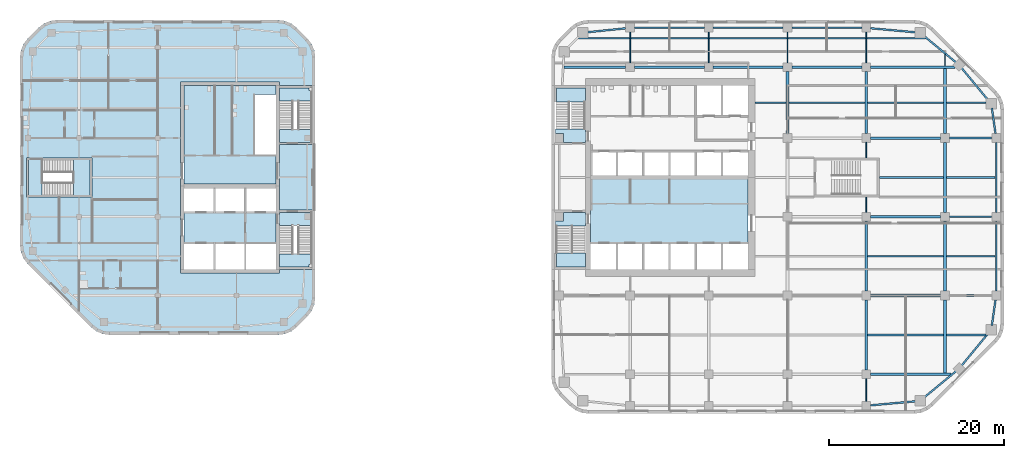
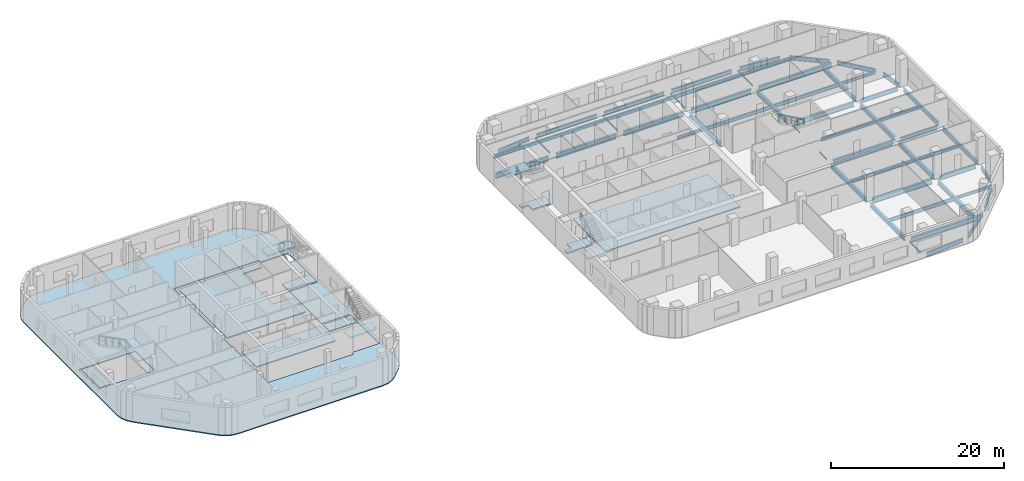
# One storey, part 3 of 14: 57 beams, 14 slabs, 5 elements without a shape of their own.
"""IFC4 building model written with IfcOpenShell, lengths in metres."""

import ifcopenshell
import ifcopenshell.guid

model = None  # the IFC model being written
_history = None  # IfcOwnerHistory: only IFC2X3 demands one
_inside = {}  # id of a spatial element -> (the spatial element, [elements in it])
_under = {}  # id of a project, library or spatial element -> (it, [spatial elements below it])
_declared = {}  # id of a project -> (the project, [libraries it declares])
_typed = {}  # id of a type object -> (the type object, [elements of that type])
_made_of = {}  # id of a material, layer set ... -> (it, [elements and type objects made of it])


def new_model(schema):
    """Start an empty IFC model of exactly this schema.

    Asked for "IFC4X3", IfcOpenShell would pick the latest addendum, in which some entities
    have other attributes; the version numbers below select the first issue.
    IFC2X3 requires an IfcOwnerHistory on every rooted entity: one is made here for all.
    """
    global model, _history
    if schema == "IFC4X3":
        model = ifcopenshell.file(schema_version=(4, 3, 0, 0))
    else:
        model = ifcopenshell.file(schema=schema)
    _inside.clear()
    _under.clear()
    _declared.clear()
    _typed.clear()
    _made_of.clear()
    _history = None
    if model.schema == "IFC2X3":
        org = make("IfcOrganization", Name="unknown")
        user = make(
            "IfcPersonAndOrganization",
            ThePerson=make("IfcPerson", FamilyName="unknown"),
            TheOrganization=org,
        )
        app = make(
            "IfcApplication",
            ApplicationDeveloper=org,
            Version="unknown",
            ApplicationFullName="unknown",
            ApplicationIdentifier="unknown",
        )
        _history = make(
            "IfcOwnerHistory",
            OwningUser=user,
            OwningApplication=app,
            ChangeAction="ADDED",
            CreationDate=0,
        )
    return model


def make(cls, **values):
    """One entity of the class cls with the attributes given. An attribute that is None is left unset."""
    return model.create_entity(
        cls, **{name: value for name, value in values.items() if value is not None}
    )


def rooted(cls, **values):
    """An entity with a GlobalId (a new one), such as an element, a storey or a relation."""
    return make(cls, GlobalId=ifcopenshell.guid.new(), OwnerHistory=_history, **values)


def si_unit(unit_type, name, prefix=None):
    """IfcSIUnit, for example si_unit("LENGTHUNIT", "METRE", prefix="MILLI")."""
    return make("IfcSIUnit", UnitType=unit_type, Prefix=prefix, Name=name)


def assignment(units):
    """IfcUnitAssignment: the units of a project."""
    return None if units is None else make("IfcUnitAssignment", Units=units)


def point(xyz):
    """IfcCartesianPoint."""
    return None if xyz is None else make("IfcCartesianPoint", Coordinates=xyz)


def direction(xyz):
    """IfcDirection."""
    return None if xyz is None else make("IfcDirection", DirectionRatios=xyz)


def frame(location, z_axis=None, x_axis=None):
    """IfcAxis2Placement3D, a coordinate frame: its origin and axes. An axis left out is left unset."""
    return make(
        "IfcAxis2Placement3D",
        Location=point(location),
        Axis=direction(z_axis),
        RefDirection=direction(x_axis),
    )


def frame_2d(location, x_axis=None):
    """IfcAxis2Placement2D, a coordinate frame in the plane: its origin and x axis."""
    return make(
        "IfcAxis2Placement2D", Location=point(location), RefDirection=direction(x_axis)
    )


def origin():
    """The frame at (0, 0, 0) with its axes left unset."""
    return frame((0.0, 0.0, 0.0))


def origin_2d():
    """The frame at (0, 0) in the plane with its x axis left unset."""
    return frame_2d((0.0, 0.0))


def place(relative_to, where):
    """IfcLocalPlacement: puts the frame where relative to a parent placement (None: the world)."""
    return make(
        "IfcLocalPlacement", PlacementRelTo=relative_to, RelativePlacement=where
    )


def context(
    kind, dimensions, precision=None, world=None, true_north=None, identifier=None
):
    """IfcGeometricRepresentationContext, for example the 3D "Model" context."""
    return make(
        "IfcGeometricRepresentationContext",
        ContextIdentifier=identifier,
        ContextType=kind,
        CoordinateSpaceDimension=dimensions,
        Precision=precision,
        WorldCoordinateSystem=world,
        TrueNorth=true_north,
    )


def subcontext(parent, identifier, kind, view, scale=None):
    """IfcGeometricRepresentationSubContext, for example "Body" below "Model"."""
    return make(
        "IfcGeometricRepresentationSubContext",
        ContextIdentifier=identifier,
        ContextType=kind,
        ParentContext=parent,
        TargetScale=scale,
        TargetView=view,
    )


def project(units=None, contexts=None):
    """IfcProject with its units and contexts."""
    return rooted(
        "IfcProject",
        Name="project",
        RepresentationContexts=contexts,
        UnitsInContext=assignment(units),
    )


def spatial(cls, under=None, at=None, **own):
    """A site, building, storey or space (cls), placed at a placement, below another one or the project."""
    s = rooted(cls, ObjectPlacement=at, **own)
    if under is not None:
        _under.setdefault(under.id(), (under, []))[1].append(s)
    return s


def polyline(points):
    """IfcPolyline through the points."""
    return make("IfcPolyline", Points=[point(p) for p in points])


def profile(cls, at=None, kind="AREA", **sizes):
    """A parametric profile (cls). Its sizes go by their IFC names, for example OverallWidth=200.0."""
    return make(cls, ProfileType=kind, Position=at, **sizes)


def i_section(**sizes):
    """IfcIShapeProfileDef."""
    return profile("IfcIShapeProfileDef", **sizes)


def outline(outer, holes=None, kind="AREA"):
    """IfcArbitraryClosedProfileDef: a profile drawn as a closed curve; with holes, ...WithVoids."""
    if holes is None:
        return make("IfcArbitraryClosedProfileDef", ProfileType=kind, OuterCurve=outer)
    return make(
        "IfcArbitraryProfileDefWithVoids",
        ProfileType=kind,
        OuterCurve=outer,
        InnerCurves=holes,
    )


def extrude(swept, where, along, depth):
    """IfcExtrudedAreaSolid: the profile swept, set in the frame where, extruded along a direction by depth."""
    return make(
        "IfcExtrudedAreaSolid",
        SweptArea=swept,
        Position=where,
        ExtrudedDirection=direction(along),
        Depth=depth,
    )


def shape(context_of_items, identifier, shape_type, items):
    """IfcShapeRepresentation: the items that make up one representation, for example the "Body"."""
    return make(
        "IfcShapeRepresentation",
        ContextOfItems=context_of_items,
        RepresentationIdentifier=identifier,
        RepresentationType=shape_type,
        Items=items,
    )


def material(Name=None, Category=None):
    """IfcMaterial."""
    return make("IfcMaterial", Name=Name, Category=Category)


def layer(
    of_material, thickness, ventilated=None, Name=None, Category=None, Priority=None
):
    """IfcMaterialLayer: one layer of a wall or slab, of a material (None: an air gap)."""
    return make(
        "IfcMaterialLayer",
        Material=of_material,
        LayerThickness=thickness,
        IsVentilated=ventilated,
        Name=Name,
        Category=Category,
        Priority=Priority,
    )


def layer_set(layers, Name=None):
    """IfcMaterialLayerSet."""
    return make("IfcMaterialLayerSet", MaterialLayers=layers, LayerSetName=Name)


def material_profile(
    of_material, cross_section, Name=None, Category=None, Priority=None
):
    """IfcMaterialProfile: a cross section and its material."""
    return make(
        "IfcMaterialProfile",
        Name=Name,
        Material=of_material,
        Profile=cross_section,
        Priority=Priority,
        Category=Category,
    )


def profile_set(profiles, Name=None, composite=None):
    """IfcMaterialProfileSet."""
    return make(
        "IfcMaterialProfileSet",
        Name=Name,
        MaterialProfiles=profiles,
        CompositeProfile=composite,
    )


def made_of(thing, what):
    """Note that an element or type object is made of a material, layer set ...; save() writes the relation."""
    if what is not None:
        _made_of.setdefault(what.id(), (what, []))[1].append(thing)
    return thing


def type_object(cls, material=None, **own):
    """A type object (cls), such as IfcWallType, which elements share."""
    return made_of(rooted(cls, **own), material)


def element(
    cls,
    number,
    at=None,
    inside=None,
    cuts=None,
    type_object=None,
    material=None,
    context=None,
    identifier="Body",
    shape_type=None,
    held_by="IfcProductDefinitionShape",
    body=None,
    shapes=None,
    **own,
):
    """One element of the class cls, such as IfcWall. Its Tag is "e" and its number.

    at: its placement. inside: the storey or other place that contains it. cuts: it is an
    opening in that element (IfcRelVoidsElement). A single representation is given by context,
    identifier, shape_type and body (its items); several are given by shapes. held_by: the class
    of the entity that holds the representations. save() writes the other relations.
    """
    e = rooted(cls, Tag="e%d" % number, ObjectPlacement=at, **own)
    if body is not None:
        shapes = [shape(context, identifier, shape_type, body)]
    if shapes is not None:
        e.Representation = make(held_by, Representations=shapes)
    if inside is not None:
        _inside.setdefault(inside.id(), (inside, []))[1].append(e)
    if cuts is not None:
        rooted(
            "IfcRelVoidsElement", RelatingBuildingElement=cuts, RelatedOpeningElement=e
        )
    if type_object is not None:
        _typed.setdefault(type_object.id(), (type_object, []))[1].append(e)
    return made_of(e, material)


def aggregate(whole, parts):
    """IfcRelAggregates: a whole, such as a stair, and the parts it consists of."""
    return rooted("IfcRelAggregates", RelatingObject=whole, RelatedObjects=parts)


def save(model, path):
    """Write the relations noted so far, then the file.

    IfcRelAggregates (storeys below a building ...), IfcRelContainedInSpatialStructure (elements
    in a storey), IfcRelDefinesByType, IfcRelAssociatesMaterial and IfcRelDeclares: one each for
    every whole, place, type object, material and project.
    """
    for whole, parts in _under.values():
        aggregate(whole, parts)
    for where, things in _inside.values():
        rooted(
            "IfcRelContainedInSpatialStructure",
            RelatedElements=things,
            RelatingStructure=where,
        )
    for kind, things in _typed.values():
        rooted("IfcRelDefinesByType", RelatedObjects=things, RelatingType=kind)
    for what, things in _made_of.values():
        rooted("IfcRelAssociatesMaterial", RelatedObjects=things, RelatingMaterial=what)
    for by, libraries in _declared.values():
        rooted("IfcRelDeclares", RelatingContext=by, RelatedDefinitions=libraries)
    model.write(path)


model = new_model("IFC4")

# Units and contexts
model_context = context("Model", 3, precision=1e-05, world=origin(), true_north=direction((0.0, 1.0)))
body_context = subcontext(model_context, "Body", "Model", "MODEL_VIEW")
ifc_project = project(units=[si_unit("LENGTHUNIT", "METRE"), si_unit("AREAUNIT", "SQUARE_METRE"), si_unit("VOLUMEUNIT", "CUBIC_METRE"), si_unit("PLANEANGLEUNIT", "RADIAN"), si_unit("MASSUNIT", "GRAM", prefix="KILO")], contexts=[model_context])

# Site, building, storey
site_placement = place(None, origin())
site = spatial("IfcSite", under=ifc_project, at=site_placement, CompositionType="ELEMENT")
building_placement = place(site_placement, origin())
building = spatial("IfcBuilding", under=site, at=building_placement, Name="Cinnabar Reach Civic Tower", CompositionType="ELEMENT")
storey_placement = place(building_placement, frame((0.0, 0.0, 108.0)))
storey = spatial("IfcBuildingStorey", under=building, at=storey_placement, Name="L25", CompositionType="ELEMENT", Elevation=108.0)

# Beams
ifc_material_1 = material(Name="Steel Q355B", Category="steel")
ifc_material_profile_1 = material_profile(ifc_material_1, i_section(OverallWidth=0.302, OverallDepth=0.594, WebThickness=0.014, FlangeThickness=0.023, FilletRadius=0.016, at=origin_2d()), Name="HM594x302x14x23")
ifc_profile_set_1 = profile_set([ifc_material_profile_1], Name="Steel Q355B")
beam_type_1 = type_object("IfcBeamType", Name="HM594x302x14x23 beam R 180", PredefinedType="BEAM", material=ifc_profile_set_1)
beam_1_placement = place(storey_placement, frame((27.0, 36.502, -0.447), z_axis=(0.0, 1.0, 0.0), x_axis=(-1.0, 0.0, 0.0)))
element("IfcBeam", 1, at=beam_1_placement, inside=storey, type_object=beam_type_1, Name="Girder T1 L25 13", PredefinedType="BEAM", context=body_context, shape_type="SweptSolid", body=[
    extrude(i_section(OverallWidth=0.302, OverallDepth=0.594, WebThickness=0.014, FlangeThickness=0.023, FilletRadius=0.016, at=origin_2d()), origin(), (0.0, 0.0, 1.0), 7.096),
])
for number, where, z_axis, x_axis, name in (
    (2, (36.0, 9.502, -0.447), (0.0, 1.0, 0.0), (-1.0, 0.0, 0.0), "Girder T1 L25 16"),
    (3, (36.0, 18.502, -0.447), (0.0, 1.0, 0.0), (-1.0, 0.0, 0.0), "Girder T1 L25 17"),
):
    element("IfcBeam", number, at=place(storey_placement, frame(where, z_axis=z_axis, x_axis=x_axis)), inside=storey, type_object=beam_type_1, Name=name, PredefinedType="BEAM", context=body_context, shape_type="SweptSolid", body=[
        extrude(i_section(OverallWidth=0.302, OverallDepth=0.594, WebThickness=0.014, FlangeThickness=0.023, FilletRadius=0.016, at=origin_2d()), origin(), (0.0, 0.0, 1.0), 7.996),
    ])
beam_2_placement = place(storey_placement, frame((36.0, 36.502, -0.447), z_axis=(0.0, 1.0, 0.0), x_axis=(-1.0, 0.0, 0.0)))
element("IfcBeam", 4, at=beam_2_placement, inside=storey, type_object=beam_type_1, Name="Girder T1 L25 20", PredefinedType="BEAM", context=body_context, shape_type="SweptSolid", body=[
    extrude(i_section(OverallWidth=0.302, OverallDepth=0.594, WebThickness=0.014, FlangeThickness=0.023, FilletRadius=0.016, at=origin_2d()), origin(), (0.0, 0.0, 1.0), 7.096),
])
beam_3_placement = place(storey_placement, frame((45.0, 9.152, -0.447), z_axis=(0.0, 1.0, 0.0), x_axis=(-1.0, 0.0, 0.0)))
element("IfcBeam", 5, at=beam_3_placement, inside=storey, type_object=beam_type_1, Name="Girder T1 L25 22", PredefinedType="BEAM", context=body_context, shape_type="SweptSolid", body=[
    extrude(i_section(OverallWidth=0.302, OverallDepth=0.594, WebThickness=0.014, FlangeThickness=0.023, FilletRadius=0.016, at=origin_2d()), origin(), (0.0, 0.0, 1.0), 8.346),
])
for number, where, z_axis, x_axis, name in (
    (6, (45.0, 18.502, -0.447), (0.0, 1.0, 0.0), (-1.0, 0.0, 0.0), "Girder T1 L25 23"),
    (7, (45.0, 27.502, -0.447), (0.0, 1.0, 0.0), (-1.0, 0.0, 0.0), "Girder T1 L25 24"),
):
    element("IfcBeam", number, at=place(storey_placement, frame(where, z_axis=z_axis, x_axis=x_axis)), inside=storey, type_object=beam_type_1, Name=name, PredefinedType="BEAM", context=body_context, shape_type="SweptSolid", body=[
        extrude(i_section(OverallWidth=0.302, OverallDepth=0.594, WebThickness=0.014, FlangeThickness=0.023, FilletRadius=0.016, at=origin_2d()), origin(), (0.0, 0.0, 1.0), 7.996),
    ])
beam_4_placement = place(storey_placement, frame((45.0, 36.502, -0.447), z_axis=(0.0, 1.0, 0.0), x_axis=(-1.0, 0.0, 0.0)))
element("IfcBeam", 8, at=beam_4_placement, inside=storey, type_object=beam_type_1, Name="Girder T1 L25 25", PredefinedType="BEAM", context=body_context, shape_type="SweptSolid", body=[
    extrude(i_section(OverallWidth=0.302, OverallDepth=0.594, WebThickness=0.014, FlangeThickness=0.023, FilletRadius=0.016, at=origin_2d()), origin(), (0.0, 0.0, 1.0), 7.446),
])
ifc_material_profile_2 = material_profile(ifc_material_1, i_section(OverallWidth=0.099, OverallDepth=0.198, WebThickness=0.0045, FlangeThickness=0.007, FilletRadius=0.013, at=origin_2d()), Name="HN200x100x5.5x8")
ifc_profile_set_2 = profile_set([ifc_material_profile_2], Name="Steel Q355B")
beam_type_2 = type_object("IfcBeamType", Name="HN200x100x5.5x8 beam R 180", PredefinedType="BEAM", material=ifc_profile_set_2)
for number, where, z_axis, x_axis, name in (
    (9, (9.0, 44.602, -0.249), (0.0, 1.0, 0.0), (-1.0, 0.0, 0.0), "Girder T1 L25 4"),
    (10, (18.0, 44.602, -0.249), (0.0, 1.0, 0.0), (-1.0, 0.0, 0.0), "Girder T1 L25 8"),
    (11, (27.0, 44.602, -0.249), (0.0, 1.0, 0.0), (-1.0, 0.0, 0.0), "Girder T1 L25 14"),
):
    element("IfcBeam", number, at=place(storey_placement, frame(where, z_axis=z_axis, x_axis=x_axis)), inside=storey, type_object=beam_type_2, Name=name, PredefinedType="BEAM", context=body_context, shape_type="SweptSolid", body=[
        extrude(i_section(OverallWidth=0.099, OverallDepth=0.198, WebThickness=0.0045, FlangeThickness=0.007, FilletRadius=0.013, at=origin_2d()), origin(), (0.0, 0.0, 1.0), 3.496),
    ])
beam_5_placement = place(storey_placement, frame((36.0, 5.902, -0.249), z_axis=(0.0, 1.0, 0.0), x_axis=(-1.0, 0.0, 0.0)))
element("IfcBeam", 12, at=beam_5_placement, inside=storey, type_object=beam_type_2, Name="Girder T1 L25 15", PredefinedType="BEAM", context=body_context, shape_type="SweptSolid", body=[
    extrude(i_section(OverallWidth=0.099, OverallDepth=0.198, WebThickness=0.0045, FlangeThickness=0.007, FilletRadius=0.013, at=origin_2d()), origin(), (0.0, 0.0, 1.0), 2.596),
])
for number, where, z_axis, x_axis, name in (
    (13, (36.0, 27.502, -0.249), (0.0, 1.0, 0.0), (-1.0, 0.0, 0.0), "Girder T1 L25 18"),
    (14, (36.0, 33.752, -0.249), (0.0, 1.0, 0.0), (-1.0, 0.0, 0.0), "Girder T1 L25 19"),
):
    element("IfcBeam", number, at=place(storey_placement, frame(where, z_axis=z_axis, x_axis=x_axis)), inside=storey, type_object=beam_type_2, Name=name, PredefinedType="BEAM", context=body_context, shape_type="SweptSolid", body=[
        extrude(i_section(OverallWidth=0.099, OverallDepth=0.198, WebThickness=0.0045, FlangeThickness=0.007, FilletRadius=0.013, at=origin_2d()), origin(), (0.0, 0.0, 1.0), 1.746),
    ])
beam_6_placement = place(storey_placement, frame((36.0, 44.602, -0.249), z_axis=(0.0, 1.0, 0.0), x_axis=(-1.0, 0.0, 0.0)))
element("IfcBeam", 15, at=beam_6_placement, inside=storey, type_object=beam_type_2, Name="Girder T1 L25 21", PredefinedType="BEAM", context=body_context, shape_type="SweptSolid", body=[
    extrude(i_section(OverallWidth=0.099, OverallDepth=0.198, WebThickness=0.0045, FlangeThickness=0.007, FilletRadius=0.013, at=origin_2d()), origin(), (0.0, 0.0, 1.0), 3.496),
])
beam_7_placement = place(storey_placement, frame((45.0, 44.252, -0.249), z_axis=(0.0, 1.0, 0.0), x_axis=(-1.0, 0.0, 0.0)))
element("IfcBeam", 16, at=beam_7_placement, inside=storey, type_object=beam_type_2, Name="Girder T1 L25 26", PredefinedType="BEAM", context=body_context, shape_type="SweptSolid", body=[
    extrude(i_section(OverallWidth=0.099, OverallDepth=0.198, WebThickness=0.0045, FlangeThickness=0.007, FilletRadius=0.013, at=origin_2d()), origin(), (0.0, 0.0, 1.0), 1.3103),
])
ifc_material_profile_3 = material_profile(ifc_material_1, i_section(OverallWidth=0.199, OverallDepth=0.396, WebThickness=0.007, FlangeThickness=0.011, FilletRadius=0.013, at=origin_2d()), Name="HN396x199x7x11")
ifc_profile_set_3 = profile_set([ifc_material_profile_3], Name="Steel Q355B")
beam_type_3 = type_object("IfcBeamType", Name="HN396x199x7x11 beam R 180", PredefinedType="BEAM", material=ifc_profile_set_3)
beam_8_placement = place(storey_placement, frame((45.153, 13.5, -0.348), z_axis=(1.0, 0.0, 0.0), x_axis=(0.0, 1.0, 0.0)))
element("IfcBeam", 17, at=beam_8_placement, inside=storey, type_object=beam_type_3, Name="Secondary beam T1 L25 6", PredefinedType="BEAM", context=body_context, shape_type="SweptSolid", body=[
    extrude(i_section(OverallWidth=0.199, OverallDepth=0.396, WebThickness=0.007, FlangeThickness=0.011, FilletRadius=0.013, at=origin_2d()), origin(), (0.0, 0.0, 1.0), 4.5152),
])
beam_9_placement = place(storey_placement, frame((23.302, 40.05, -0.348), z_axis=(1.0, 0.0, 0.0), x_axis=(0.0, 1.0, 0.0)))
element("IfcBeam", 18, at=beam_9_placement, inside=storey, type_object=beam_type_3, Name="Secondary beam T1 L25 16", PredefinedType="BEAM", context=body_context, shape_type="SweptSolid", body=[
    extrude(i_section(OverallWidth=0.199, OverallDepth=0.396, WebThickness=0.007, FlangeThickness=0.011, FilletRadius=0.013, at=origin_2d()), origin(), (0.0, 0.0, 1.0), 3.545),
])
beam_10_placement = place(storey_placement, frame((45.153, 40.05, -0.348), z_axis=(1.0, 0.0, 0.0), x_axis=(0.0, 1.0, 0.0)))
element("IfcBeam", 19, at=beam_10_placement, inside=storey, type_object=beam_type_3, Name="Secondary beam T1 L25 19", PredefinedType="BEAM", context=body_context, shape_type="SweptSolid", body=[
    extrude(i_section(OverallWidth=0.199, OverallDepth=0.396, WebThickness=0.007, FlangeThickness=0.011, FilletRadius=0.013, at=origin_2d()), origin(), (0.0, 0.0, 1.0), 4.5419),
])
ifc_material_profile_4 = material_profile(ifc_material_1, i_section(OverallWidth=0.199, OverallDepth=0.496, WebThickness=0.009, FlangeThickness=0.014, FilletRadius=0.016, at=origin_2d()), Name="HN496x199x9x14")
ifc_profile_set_4 = profile_set([ifc_material_profile_4], Name="Steel Q355B")
beam_type_4 = type_object("IfcBeamType", Name="HN496x199x9x14 beam R 180", PredefinedType="BEAM", material=ifc_profile_set_4)
for number, where, z_axis, x_axis, name in (
    (20, (36.153, 13.5, -0.398), (1.0, 0.0, 0.0), (0.0, 1.0, 0.0), "Secondary beam T1 L25 5"),
    (21, (36.153, 22.5, -0.398), (1.0, 0.0, 0.0), (0.0, 1.0, 0.0), "Secondary beam T1 L25 9"),
):
    element("IfcBeam", number, at=place(storey_placement, frame(where, z_axis=z_axis, x_axis=x_axis)), inside=storey, type_object=beam_type_4, Name=name, PredefinedType="BEAM", context=body_context, shape_type="SweptSolid", body=[
        extrude(i_section(OverallWidth=0.199, OverallDepth=0.496, WebThickness=0.009, FlangeThickness=0.014, FilletRadius=0.016, at=origin_2d()), origin(), (0.0, 0.0, 1.0), 8.694),
    ])
beam_11_placement = place(storey_placement, frame((45.153, 22.5, -0.398), z_axis=(1.0, 0.0, 0.0), x_axis=(0.0, 1.0, 0.0)))
element("IfcBeam", 22, at=beam_11_placement, inside=storey, type_object=beam_type_4, Name="Secondary beam T1 L25 10", PredefinedType="BEAM", context=body_context, shape_type="SweptSolid", body=[
    extrude(i_section(OverallWidth=0.199, OverallDepth=0.496, WebThickness=0.009, FlangeThickness=0.014, FilletRadius=0.016, at=origin_2d()), origin(), (0.0, 0.0, 1.0), 5.595),
])
beam_12_placement = place(storey_placement, frame((37.502, 31.5, -0.398), z_axis=(1.0, 0.0, 0.0), x_axis=(0.0, 1.0, 0.0)))
element("IfcBeam", 23, at=beam_12_placement, inside=storey, type_object=beam_type_4, Name="Secondary beam T1 L25 14", PredefinedType="BEAM", context=body_context, shape_type="SweptSolid", body=[
    extrude(i_section(OverallWidth=0.199, OverallDepth=0.496, WebThickness=0.009, FlangeThickness=0.014, FilletRadius=0.016, at=origin_2d()), origin(), (0.0, 0.0, 1.0), 7.345),
])
beam_13_placement = place(storey_placement, frame((45.153, 31.5, -0.398), z_axis=(1.0, 0.0, 0.0), x_axis=(0.0, 1.0, 0.0)))
element("IfcBeam", 24, at=beam_13_placement, inside=storey, type_object=beam_type_4, Name="Secondary beam T1 L25 15", PredefinedType="BEAM", context=body_context, shape_type="SweptSolid", body=[
    extrude(i_section(OverallWidth=0.199, OverallDepth=0.496, WebThickness=0.009, FlangeThickness=0.014, FilletRadius=0.016, at=origin_2d()), origin(), (0.0, 0.0, 1.0), 5.595),
])
for number, where, z_axis, x_axis, name in (
    (25, (27.153, 40.05, -0.398), (1.0, 0.0, 0.0), (0.0, 1.0, 0.0), "Secondary beam T1 L25 17"),
    (26, (36.153, 40.05, -0.398), (1.0, 0.0, 0.0), (0.0, 1.0, 0.0), "Secondary beam T1 L25 18"),
):
    element("IfcBeam", number, at=place(storey_placement, frame(where, z_axis=z_axis, x_axis=x_axis)), inside=storey, type_object=beam_type_4, Name=name, PredefinedType="BEAM", context=body_context, shape_type="SweptSolid", body=[
        extrude(i_section(OverallWidth=0.199, OverallDepth=0.496, WebThickness=0.009, FlangeThickness=0.014, FilletRadius=0.016, at=origin_2d()), origin(), (0.0, 0.0, 1.0), 8.694),
    ])
beam_14_placement = place(storey_placement, frame((3.0992, 47.4, -0.398), z_axis=(1.0, 0.0, 0.0), x_axis=(0.0, 1.0, 0.0)))
element("IfcBeam", 27, at=beam_14_placement, inside=storey, type_object=beam_type_4, Name="Secondary beam T1 L25 20", PredefinedType="BEAM", context=body_context, shape_type="SweptSolid", body=[
    extrude(i_section(OverallWidth=0.199, OverallDepth=0.496, WebThickness=0.009, FlangeThickness=0.014, FilletRadius=0.016, at=origin_2d()), origin(), (0.0, 0.0, 1.0), 5.8493),
])
for number, where, z_axis, x_axis, name in (
    (28, (9.0515, 47.4, -0.398), (1.0, 0.0, 0.0), (0.0, 1.0, 0.0), "Secondary beam T1 L25 21"),
    (29, (18.0515, 47.4, -0.398), (1.0, 0.0, 0.0), (0.0, 1.0, 0.0), "Secondary beam T1 L25 22"),
    (30, (27.0515, 47.4, -0.398), (1.0, 0.0, 0.0), (0.0, 1.0, 0.0), "Secondary beam T1 L25 23"),
):
    element("IfcBeam", number, at=place(storey_placement, frame(where, z_axis=z_axis, x_axis=x_axis)), inside=storey, type_object=beam_type_4, Name=name, PredefinedType="BEAM", context=body_context, shape_type="SweptSolid", body=[
        extrude(i_section(OverallWidth=0.199, OverallDepth=0.496, WebThickness=0.009, FlangeThickness=0.014, FilletRadius=0.016, at=origin_2d()), origin(), (0.0, 0.0, 1.0), 8.897),
    ])
beam_15_placement = place(storey_placement, frame((36.0515, 47.4, -0.398), z_axis=(1.0, 0.0, 0.0), x_axis=(0.0, 1.0, 0.0)))
element("IfcBeam", 31, at=beam_15_placement, inside=storey, type_object=beam_type_4, Name="Secondary beam T1 L25 24", PredefinedType="BEAM", context=body_context, shape_type="SweptSolid", body=[
    extrude(i_section(OverallWidth=0.199, OverallDepth=0.496, WebThickness=0.009, FlangeThickness=0.014, FilletRadius=0.016, at=origin_2d()), origin(), (0.0, 0.0, 1.0), 6.7206),
])
ifc_material_profile_5 = material_profile(ifc_material_1, i_section(OverallWidth=0.199, OverallDepth=0.596, WebThickness=0.01, FlangeThickness=0.015, FilletRadius=0.016, at=origin_2d()), Name="HN596x199x10x15")
ifc_profile_set_5 = profile_set([ifc_material_profile_5], Name="Steel Q355B")
beam_type_5 = type_object("IfcBeamType", Name="HN596x199x10x15 beam R 180", PredefinedType="BEAM", material=ifc_profile_set_5)
for number, where, z_axis, x_axis, name in (
    (32, (45.502, 18.0, -0.448), (1.0, 0.0, 0.0), (0.0, 1.0, 0.0), "Girder T1 L25 11"),
    (33, (45.502, 27.0, -0.448), (1.0, 0.0, 0.0), (0.0, 1.0, 0.0), "Girder T1 L25 15"),
    (34, (45.502, 36.0, -0.448), (1.0, 0.0, 0.0), (0.0, 1.0, 0.0), "Girder T1 L25 19"),
):
    element("IfcBeam", number, at=place(storey_placement, frame(where, z_axis=z_axis, x_axis=x_axis)), inside=storey, type_object=beam_type_5, Name=name, PredefinedType="BEAM", context=body_context, shape_type="SweptSolid", body=[
        extrude(i_section(OverallWidth=0.199, OverallDepth=0.596, WebThickness=0.01, FlangeThickness=0.015, FilletRadius=0.016, at=origin_2d()), origin(), (0.0, 0.0, 1.0), 4.846),
    ])
ifc_material_profile_6 = material_profile(ifc_material_1, i_section(OverallWidth=0.2, OverallDepth=0.6, WebThickness=0.011, FlangeThickness=0.017, FilletRadius=0.016, at=origin_2d()), Name="HN600x200x11x17")
ifc_profile_set_6 = profile_set([ifc_material_profile_6], Name="Steel Q355B")
beam_type_6 = type_object("IfcBeamType", Name="HN600x200x11x17 beam R 180", PredefinedType="BEAM", material=ifc_profile_set_6)
beam_16_placement = place(storey_placement, frame((36.502, 5.4452, -0.45), z_axis=(0.995979069281, 0.089586235294, 0.0), x_axis=(-0.089586235294, 0.995979069281, 0.0)))
element("IfcBeam", 35, at=beam_16_placement, inside=storey, type_object=beam_type_6, Name="Edge beam T1 L25 5", PredefinedType="BEAM", context=body_context, shape_type="SweptSolid", body=[
    extrude(i_section(OverallWidth=0.2, OverallDepth=0.6, WebThickness=0.011, FlangeThickness=0.017, FilletRadius=0.016, at=origin_2d()), origin(), (0.0, 0.0, 1.0), 5.1849),
])
for number, where, z_axis, x_axis, name in (
    (36, (42.6301, 6.3507, -0.45), (0.77143827905, 0.6363041581, 0.0), (-0.6363041581, 0.77143827905, 0.0), "Edge beam T1 L25 6"),
    (37, (46.8961, 9.9789, -0.45), (0.6363041581, 0.77143827905, 0.0), (-0.77143827905, 0.6363041581, 0.0), "Edge beam T1 L25 7"),
):
    element("IfcBeam", number, at=place(storey_placement, frame(where, z_axis=z_axis, x_axis=x_axis)), inside=storey, type_object=beam_type_6, Name=name, PredefinedType="BEAM", context=body_context, shape_type="SweptSolid", body=[
        extrude(i_section(OverallWidth=0.2, OverallDepth=0.6, WebThickness=0.011, FlangeThickness=0.017, FilletRadius=0.016, at=origin_2d()), origin(), (0.0, 0.0, 1.0), 4.7198),
    ])
beam_17_placement = place(storey_placement, frame((50.3653, 14.5839, -0.45), z_axis=(0.140489003738, 0.990082238922, 0.0), x_axis=(-0.990082238922, 0.140489003738, 0.0)))
element("IfcBeam", 38, at=beam_17_placement, inside=storey, type_object=beam_type_6, Name="Edge beam T1 L25 8", PredefinedType="BEAM", context=body_context, shape_type="SweptSolid", body=[
    extrude(i_section(OverallWidth=0.2, OverallDepth=0.6, WebThickness=0.011, FlangeThickness=0.017, FilletRadius=0.016, at=origin_2d()), origin(), (0.0, 0.0, 1.0), 2.9433),
])
for number, where, z_axis, x_axis, name in (
    (39, (50.85, 18.502, -0.45), (0.0, 1.0, 0.0), (-1.0, 0.0, 0.0), "Edge beam T1 L25 9"),
    (40, (50.85, 27.502, -0.45), (0.0, 1.0, 0.0), (-1.0, 0.0, 0.0), "Edge beam T1 L25 10"),
):
    element("IfcBeam", number, at=place(storey_placement, frame(where, z_axis=z_axis, x_axis=x_axis)), inside=storey, type_object=beam_type_6, Name=name, PredefinedType="BEAM", context=body_context, shape_type="SweptSolid", body=[
        extrude(i_section(OverallWidth=0.2, OverallDepth=0.6, WebThickness=0.011, FlangeThickness=0.017, FilletRadius=0.016, at=origin_2d()), origin(), (0.0, 0.0, 1.0), 7.996),
    ])
beam_18_placement = place(storey_placement, frame((50.7788, 36.502, -0.45), z_axis=(-0.140489003738, 0.990082238922, 0.0), x_axis=(-0.990082238922, -0.140489003738, 0.0)))
element("IfcBeam", 41, at=beam_18_placement, inside=storey, type_object=beam_type_6, Name="Edge beam T1 L25 11", PredefinedType="BEAM", context=body_context, shape_type="SweptSolid", body=[
    extrude(i_section(OverallWidth=0.2, OverallDepth=0.6, WebThickness=0.011, FlangeThickness=0.017, FilletRadius=0.016, at=origin_2d()), origin(), (0.0, 0.0, 1.0), 2.9433),
])
for number, where, z_axis, x_axis, name in (
    (42, (49.8993, 40.3801, -0.45), (-0.6363041581, 0.77143827905, 0.0), (-0.77143827905, -0.6363041581, 0.0), "Edge beam T1 L25 12"),
    (43, (46.2711, 44.6461, -0.45), (-0.77143827905, 0.6363041581, 0.0), (-0.6363041581, -0.77143827905, 0.0), "Edge beam T1 L25 13"),
):
    element("IfcBeam", number, at=place(storey_placement, frame(where, z_axis=z_axis, x_axis=x_axis)), inside=storey, type_object=beam_type_6, Name=name, PredefinedType="BEAM", context=body_context, shape_type="SweptSolid", body=[
        extrude(i_section(OverallWidth=0.2, OverallDepth=0.6, WebThickness=0.011, FlangeThickness=0.017, FilletRadius=0.016, at=origin_2d()), origin(), (0.0, 0.0, 1.0), 4.7198),
    ])
beam_19_placement = place(storey_placement, frame((41.6661, 48.0903, -0.45), z_axis=(-0.995979069281, 0.089586235294, 0.0), x_axis=(-0.089586235294, -0.995979069281, 0.0)))
element("IfcBeam", 44, at=beam_19_placement, inside=storey, type_object=beam_type_6, Name="Edge beam T1 L25 14", PredefinedType="BEAM", context=body_context, shape_type="SweptSolid", body=[
    extrude(i_section(OverallWidth=0.2, OverallDepth=0.6, WebThickness=0.011, FlangeThickness=0.017, FilletRadius=0.016, at=origin_2d()), origin(), (0.0, 0.0, 1.0), 5.1849),
])
for number, where, z_axis, x_axis, name in (
    (45, (35.498, 48.6, -0.45), (-1.0, 0.0, 0.0), (0.0, -1.0, 0.0), "Edge beam T1 L25 15"),
    (46, (26.498, 48.6, -0.45), (-1.0, 0.0, 0.0), (0.0, -1.0, 0.0), "Edge beam T1 L25 16"),
    (47, (17.498, 48.6, -0.45), (-1.0, 0.0, 0.0), (0.0, -1.0, 0.0), "Edge beam T1 L25 17"),
):
    element("IfcBeam", number, at=place(storey_placement, frame(where, z_axis=z_axis, x_axis=x_axis)), inside=storey, type_object=beam_type_6, Name=name, PredefinedType="BEAM", context=body_context, shape_type="SweptSolid", body=[
        extrude(i_section(OverallWidth=0.2, OverallDepth=0.6, WebThickness=0.011, FlangeThickness=0.017, FilletRadius=0.016, at=origin_2d()), origin(), (0.0, 0.0, 1.0), 7.996),
    ])
beam_20_placement = place(storey_placement, frame((8.498, 48.5486, -0.45), z_axis=(-0.994791228755, -0.101933366432, 0.0), x_axis=(0.101933366432, -0.994791228755, 0.0)))
element("IfcBeam", 48, at=beam_20_placement, inside=storey, type_object=beam_type_6, Name="Edge beam T1 L25 18", PredefinedType="BEAM", context=body_context, shape_type="SweptSolid", body=[
    extrude(i_section(OverallWidth=0.2, OverallDepth=0.6, WebThickness=0.011, FlangeThickness=0.017, FilletRadius=0.016, at=origin_2d()), origin(), (0.0, 0.0, 1.0), 4.4372),
])
ifc_material_profile_7 = material_profile(ifc_material_1, i_section(OverallWidth=0.3, OverallDepth=0.692, WebThickness=0.013, FlangeThickness=0.02, FilletRadius=0.016, at=origin_2d()), Name="HN692x300x13x20")
ifc_profile_set_7 = profile_set([ifc_material_profile_7], Name="Steel Q355B")
beam_type_7 = type_object("IfcBeamType", Name="HN692x300x13x20 beam R 180", PredefinedType="BEAM", material=ifc_profile_set_7)
beam_21_placement = place(storey_placement, frame((36.502, 9.0, -0.496), z_axis=(1.0, 0.0, 0.0), x_axis=(0.0, 1.0, 0.0)))
element("IfcBeam", 49, at=beam_21_placement, inside=storey, type_object=beam_type_7, Name="Girder T1 L25 5", PredefinedType="BEAM", context=body_context, shape_type="SweptSolid", body=[
    extrude(i_section(OverallWidth=0.3, OverallDepth=0.692, WebThickness=0.013, FlangeThickness=0.02, FilletRadius=0.016, at=origin_2d()), origin(), (0.0, 0.0, 1.0), 9.1798),
])
for number, where, z_axis, x_axis, name in (
    (50, (36.502, 18.0, -0.496), (1.0, 0.0, 0.0), (0.0, 1.0, 0.0), "Girder T1 L25 10"),
    (51, (36.502, 27.0, -0.496), (1.0, 0.0, 0.0), (0.0, 1.0, 0.0), "Girder T1 L25 14"),
    (52, (36.502, 36.0, -0.496), (1.0, 0.0, 0.0), (0.0, 1.0, 0.0), "Girder T1 L25 18"),
):
    element("IfcBeam", number, at=place(storey_placement, frame(where, z_axis=z_axis, x_axis=x_axis)), inside=storey, type_object=beam_type_7, Name=name, PredefinedType="BEAM", context=body_context, shape_type="SweptSolid", body=[
        extrude(i_section(OverallWidth=0.3, OverallDepth=0.692, WebThickness=0.013, FlangeThickness=0.02, FilletRadius=0.016, at=origin_2d()), origin(), (0.0, 0.0, 1.0), 7.996),
    ])
beam_22_placement = place(storey_placement, frame((1.4548, 44.1, -0.496), z_axis=(1.0, 0.0, 0.0), x_axis=(0.0, 1.0, 0.0)))
element("IfcBeam", 53, at=beam_22_placement, inside=storey, type_object=beam_type_7, Name="Girder T1 L25 20", PredefinedType="BEAM", context=body_context, shape_type="SweptSolid", body=[
    extrude(i_section(OverallWidth=0.3, OverallDepth=0.692, WebThickness=0.013, FlangeThickness=0.02, FilletRadius=0.016, at=origin_2d()), origin(), (0.0, 0.0, 1.0), 7.0432),
])
for number, where, z_axis, x_axis, name in (
    (54, (9.502, 44.1, -0.496), (1.0, 0.0, 0.0), (0.0, 1.0, 0.0), "Girder T1 L25 21"),
    (55, (18.502, 44.1, -0.496), (1.0, 0.0, 0.0), (0.0, 1.0, 0.0), "Girder T1 L25 22"),
    (56, (27.502, 44.1, -0.496), (1.0, 0.0, 0.0), (0.0, 1.0, 0.0), "Girder T1 L25 23"),
):
    element("IfcBeam", number, at=place(storey_placement, frame(where, z_axis=z_axis, x_axis=x_axis)), inside=storey, type_object=beam_type_7, Name=name, PredefinedType="BEAM", context=body_context, shape_type="SweptSolid", body=[
        extrude(i_section(OverallWidth=0.3, OverallDepth=0.692, WebThickness=0.013, FlangeThickness=0.02, FilletRadius=0.016, at=origin_2d()), origin(), (0.0, 0.0, 1.0), 7.996),
    ])
beam_23_placement = place(storey_placement, frame((36.502, 44.1, -0.496), z_axis=(1.0, 0.0, 0.0), x_axis=(0.0, 1.0, 0.0)))
element("IfcBeam", 57, at=beam_23_placement, inside=storey, type_object=beam_type_7, Name="Girder T1 L25 24", PredefinedType="BEAM", context=body_context, shape_type="SweptSolid", body=[
    extrude(i_section(OverallWidth=0.3, OverallDepth=0.692, WebThickness=0.013, FlangeThickness=0.02, FilletRadius=0.016, at=origin_2d()), origin(), (0.0, 0.0, 1.0), 9.6653),
])

# Slab
ifc_material_2 = material(Name="Concrete C40", Category="concrete")
ifc_layer_1 = layer(ifc_material_2, 0.15)
ifc_layer_set_1 = layer_set([ifc_layer_1], Name="Composite floor slab 150 REI 120")
slab_type_1 = type_object("IfcSlabType", Name="Composite floor slab 150 REI 120", PredefinedType="FLOOR", material=ifc_layer_set_1)
slab_1_placement = place(storey_placement, frame((0.0, 0.0, -0.15)))
element("IfcSlab", 58, at=slab_1_placement, inside=storey, type_object=slab_type_1, Name="Composite floor slab 150 T2 L25", PredefinedType="FLOOR", context=body_context, shape_type="SweptSolid", body=[
    extrude(outline(polyline([(-59.8713, 21.6213), (-60.3481, 22.2426), (-60.6478, 22.9662), (-60.75, 23.7426), (-60.75, 45.2574), (-60.6478, 46.0338), (-60.3481, 46.7574), (-59.8713, 47.3787), (-58.6287, 48.6213), (-58.0074, 49.0981), (-57.2838, 49.3978), (-56.5074, 49.5), (-31.2426, 49.5), (-30.4662, 49.3978), (-29.7426, 49.0981), (-29.1213, 48.6213), (-27.8787, 47.3787), (-27.4019, 46.7574), (-27.1022, 46.0338), (-27.0, 45.2574), (-27.0, 17.7426), (-27.1022, 16.9662), (-27.4019, 16.2426), (-27.8787, 15.6213), (-29.1213, 14.3787), (-29.7426, 13.9019), (-30.4662, 13.6022), (-31.2426, 13.5), (-50.5074, 13.5), (-51.2838, 13.6022), (-52.0074, 13.9019), (-52.6287, 14.3787), (-59.8713, 21.6213)]), holes=[polyline([(-31.1, 27.75), (-31.1, 35.25), (-27.36, 35.25), (-27.36, 42.0), (-31.1, 42.0), (-31.1, 42.4), (-42.4, 42.4), (-42.4, 20.6), (-31.1, 20.6), (-31.1, 21.0), (-27.36, 21.0), (-27.36, 27.75), (-31.1, 27.75)]), polyline([(-60.0, 33.75), (-60.0, 29.25), (-52.5, 29.25), (-52.5, 33.75), (-60.0, 33.75)])]), origin(), (0.0, 0.0, 1.0), 0.15),
])

# Stair, slabs
ifc_material_3 = material(Name="Concrete C40/50", Category="concrete")
stair_type_1 = type_object("IfcStairType", Name="T1 Exit stair, half-turn", PredefinedType="HALF_TURN_STAIR", material=ifc_material_3)
stair_1_placement = place(storey_placement, origin())
stair_1 = element("IfcStair", 59, at=stair_1_placement, inside=storey, type_object=stair_type_1, Name="Stair T1-S1", PredefinedType="HALF_TURN_STAIR")
ifc_layer_2 = layer(ifc_material_3, 0.2)
ifc_layer_set_2 = layer_set([ifc_layer_2], Name="T1 Stair landing 200, Concrete C40/50")
slab_type_2 = type_object("IfcSlabType", Name="T1 Stair landing 200, Concrete C40/50", PredefinedType="LANDING", material=ifc_layer_set_2)
slab_2_placement = place(storey_placement, frame((0.0, 0.0, -0.2)))
slab_2 = element("IfcSlab", 60, at=slab_2_placement, type_object=slab_type_2, Name="T1-S1 landing 1", PredefinedType="LANDING", context=body_context, shape_type="SweptSolid", body=[
    extrude(outline(polyline([(3.9, 27.5), (3.9, 25.95), (0.5, 25.95), (0.5, 26.5), (1.4, 26.5), (1.4, 27.5), (3.9, 27.5)])), origin(), (0.0, 0.0, 1.0), 0.2),
])
slab_3_placement = place(storey_placement, frame((0.0, 0.0, 1.8)))
slab_3 = element("IfcSlab", 61, at=slab_3_placement, type_object=slab_type_2, Name="T1-S1 landing 2", PredefinedType="LANDING", context=body_context, shape_type="SweptSolid", body=[
    extrude(outline(polyline([(0.6, 21.25), (0.6, 22.87), (3.9, 22.87), (3.9, 21.25), (0.6, 21.25)])), origin(), (0.0, 0.0, 1.0), 0.2),
])
aggregate(stair_1, [slab_2, slab_3])

stair_2_placement = place(storey_placement, origin())
stair_2 = element("IfcStair", 62, at=stair_2_placement, inside=storey, type_object=stair_type_1, Name="Stair T1-S2", PredefinedType="HALF_TURN_STAIR")
slab_4_placement = place(storey_placement, frame((0.0, 0.0, -0.2)))
slab_4 = element("IfcSlab", 63, at=slab_4_placement, type_object=slab_type_2, Name="T1-S2 landing 1", PredefinedType="LANDING", context=body_context, shape_type="SweptSolid", body=[
    extrude(outline(polyline([(0.5, 37.05), (3.9, 37.05), (3.9, 35.5), (1.4, 35.5), (1.4, 36.5), (0.5, 36.5), (0.5, 37.05)])), origin(), (0.0, 0.0, 1.0), 0.2),
])
slab_5_placement = place(storey_placement, frame((0.0, 0.0, 1.8)))
slab_5 = element("IfcSlab", 64, at=slab_5_placement, type_object=slab_type_2, Name="T1-S2 landing 2", PredefinedType="LANDING", context=body_context, shape_type="SweptSolid", body=[
    extrude(outline(polyline([(0.6, 40.13), (0.6, 41.75), (3.9, 41.75), (3.9, 40.13), (0.6, 40.13)])), origin(), (0.0, 0.0, 1.0), 0.2),
])
aggregate(stair_2, [slab_4, slab_5])

# Slabs
ifc_layer_3 = layer(ifc_material_3, 0.15)
ifc_layer_set_3 = layer_set([ifc_layer_3], Name="T1 core floor slab 150")
slab_type_3 = type_object("IfcSlabType", Name="T1 core floor slab 150", PredefinedType="FLOOR", material=ifc_layer_set_3)
slab_6_placement = place(storey_placement, frame((0.0, 0.0, -0.15)))
element("IfcSlab", 65, at=slab_6_placement, inside=storey, type_object=slab_type_3, Name="Core floor slab L25", PredefinedType="FLOOR", context=body_context, shape_type="SweptSolid", body=[
    extrude(outline(polyline([(22.5, 24.0), (19.5, 24.0), (16.5, 24.0), (13.5, 24.0), (10.5, 24.0), (7.5, 24.0), (4.5, 24.0), (4.5, 31.5), (7.5, 31.5), (10.5, 31.5), (13.5, 31.5), (16.5, 31.5), (19.5, 31.5), (22.5, 31.5), (22.5, 24.0)])), origin(), (0.0, 0.0, 1.0), 0.15),
])
ifc_layer_4 = layer(ifc_material_2, 0.15)
ifc_layer_set_4 = layer_set([ifc_layer_4], Name="T2 Core floor slab 150")
slab_type_4 = type_object("IfcSlabType", Name="T2 Core floor slab 150", PredefinedType="FLOOR", material=ifc_layer_set_4)
slab_7_placement = place(storey_placement, frame((0.0, 0.0, -0.15)))
element("IfcSlab", 66, at=slab_7_placement, inside=storey, type_object=slab_type_4, Name="Core floor slab L25", PredefinedType="FLOOR", context=body_context, shape_type="SweptSolid", body=[
    extrude(outline(polyline([(-42.0, 42.0), (-31.5, 42.0), (-31.5, 41.0), (-34.0, 41.0), (-34.0, 34.0), (-31.5, 34.0), (-31.5, 30.75), (-42.0, 30.75), (-42.0, 42.0)])), origin(), (0.0, 0.0, 1.0), 0.15),
])
slab_8_placement = place(storey_placement, frame((0.0, 0.0, -0.15)))
element("IfcSlab", 67, at=slab_8_placement, inside=storey, type_object=slab_type_4, Name="Core floor slab L25", PredefinedType="FLOOR", context=body_context, shape_type="SweptSolid", body=[
    extrude(outline(polyline([(-35.0, 24.0), (-38.5, 24.0), (-42.0, 24.0), (-42.0, 27.5), (-38.5, 27.5), (-35.0, 27.5), (-31.5, 27.5), (-31.5, 24.0), (-35.0, 24.0)])), origin(), (0.0, 0.0, 1.0), 0.15),
])

# Stair, slabs
stair_type_2 = type_object("IfcStairType", Name="T2 Exit stair 1500", PredefinedType="HALF_TURN_STAIR", material=ifc_material_2)
stair_3_placement = place(storey_placement, origin())
stair_3 = element("IfcStair", 68, at=stair_3_placement, inside=storey, type_object=stair_type_2, Name="Exit stair 1", PredefinedType="HALF_TURN_STAIR")
ifc_layer_5 = layer(ifc_material_2, 0.2)
ifc_layer_set_5 = layer_set([ifc_layer_5], Name="T2 Stair landing 200")
slab_type_5 = type_object("IfcSlabType", Name="T2 Stair landing 200", PredefinedType="LANDING", material=ifc_layer_set_5)
slab_9_placement = place(storey_placement, frame((0.0, 0.0, -0.2)))
slab_9 = element("IfcSlab", 69, at=slab_9_placement, type_object=slab_type_5, Name="ST1 landing 1", PredefinedType="LANDING", context=body_context, shape_type="SweptSolid", body=[
    extrude(outline(polyline([(-31.1, 26.0), (-31.1, 27.5), (-27.4, 27.5), (-27.4, 26.0), (-31.1, 26.0)])), origin(), (0.0, 0.0, 1.0), 0.2),
])
slab_10_placement = place(storey_placement, frame((0.0, 0.0, 1.8)))
slab_10 = element("IfcSlab", 70, at=slab_10_placement, type_object=slab_type_5, Name="ST1 landing 2", PredefinedType="LANDING", context=body_context, shape_type="SweptSolid", body=[
    extrude(outline(polyline([(-31.1, 21.25), (-31.1, 22.75), (-27.4, 22.75), (-27.4, 21.55), (-27.7, 21.55), (-27.7, 21.25), (-31.1, 21.25)])), origin(), (0.0, 0.0, 1.0), 0.2),
])
aggregate(stair_3, [slab_9, slab_10])

stair_4_placement = place(storey_placement, origin())
stair_4 = element("IfcStair", 71, at=stair_4_placement, inside=storey, type_object=stair_type_2, Name="Exit stair 2", PredefinedType="HALF_TURN_STAIR")
slab_11_placement = place(storey_placement, frame((0.0, 0.0, -0.2)))
slab_11 = element("IfcSlab", 72, at=slab_11_placement, type_object=slab_type_5, Name="ST2 landing 1", PredefinedType="LANDING", context=body_context, shape_type="SweptSolid", body=[
    extrude(outline(polyline([(-31.1, 35.5), (-31.1, 37.0), (-27.4, 37.0), (-27.4, 35.5), (-31.1, 35.5)])), origin(), (0.0, 0.0, 1.0), 0.2),
])
slab_12_placement = place(storey_placement, frame((0.0, 0.0, 1.8)))
slab_12 = element("IfcSlab", 73, at=slab_12_placement, type_object=slab_type_5, Name="ST2 landing 2", PredefinedType="LANDING", context=body_context, shape_type="SweptSolid", body=[
    extrude(outline(polyline([(-27.4, 40.25), (-31.1, 40.25), (-31.1, 41.75), (-27.7, 41.75), (-27.7, 41.45), (-27.4, 41.45), (-27.4, 40.25)])), origin(), (0.0, 0.0, 1.0), 0.2),
])
aggregate(stair_4, [slab_11, slab_12])

stair_5_placement = place(storey_placement, origin())
stair_5 = element("IfcStair", 74, at=stair_5_placement, inside=storey, type_object=stair_type_2, Name="Exit stair 3", PredefinedType="HALF_TURN_STAIR")
slab_13_placement = place(storey_placement, frame((0.0, 0.0, -0.2)))
slab_13 = element("IfcSlab", 75, at=slab_13_placement, type_object=slab_type_5, Name="ST3 landing 1", PredefinedType="LANDING", context=body_context, shape_type="SweptSolid", body=[
    extrude(outline(polyline([(-59.75, 29.375), (-59.75, 33.625), (-58.25, 33.625), (-58.25, 29.375), (-59.75, 29.375)])), origin(), (0.0, 0.0, 1.0), 0.2),
])
slab_14_placement = place(storey_placement, frame((0.0, 0.0, 1.8)))
slab_14 = element("IfcSlab", 76, at=slab_14_placement, type_object=slab_type_5, Name="ST3 landing 2", PredefinedType="LANDING", context=body_context, shape_type="SweptSolid", body=[
    extrude(outline(polyline([(-54.65, 29.375), (-54.65, 33.625), (-52.75, 33.625), (-52.75, 29.375), (-54.65, 29.375)])), origin(), (0.0, 0.0, 1.0), 0.2),
])
aggregate(stair_5, [slab_13, slab_14])

save(model, "model.ifc")
